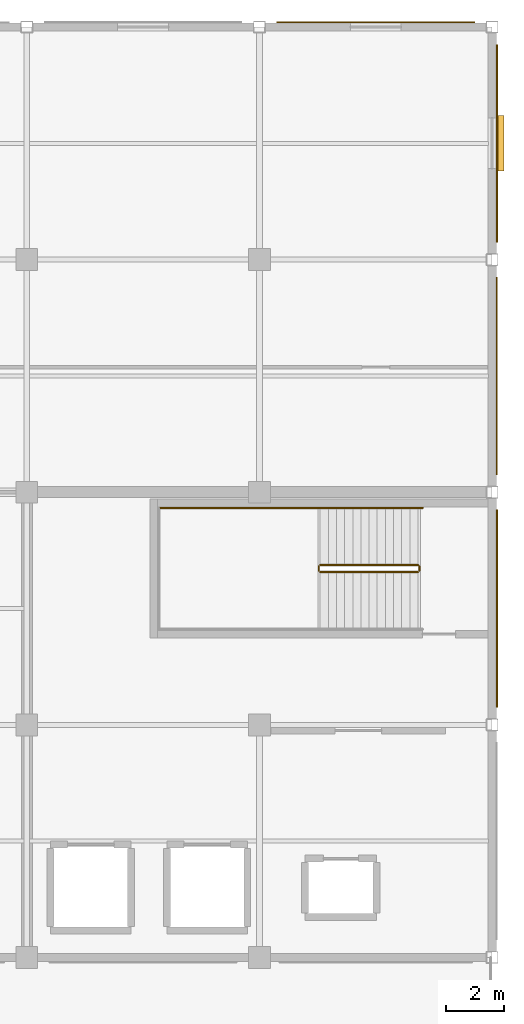
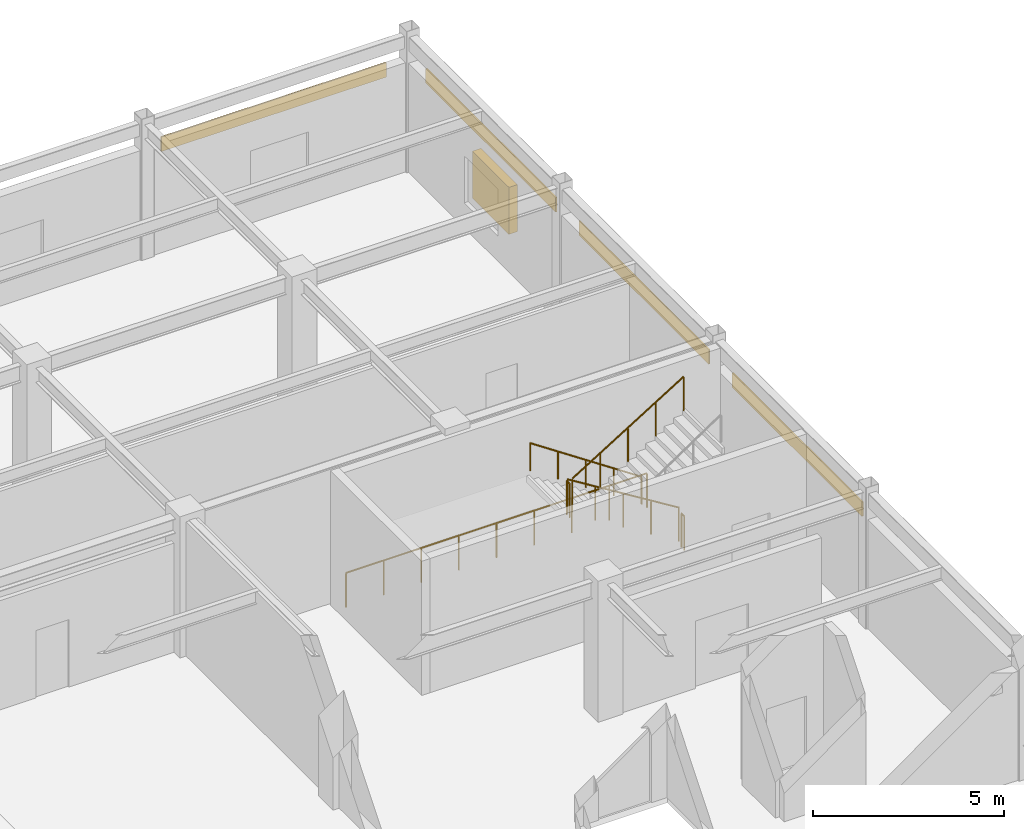
# One storey, part 74 of 75: 6 railings, 4 coverings, 1 shading device.
"""IFC4 building model written with IfcOpenShell, lengths in metres."""

from ifc_helpers import new_model, si_unit, direction, frame, origin, origin_2d, place, context, subcontext, project, spatial, rectangle, circle, extrude, material, layer, layer_set, type_object, element, save


model = new_model("IFC4")

# Units and contexts
model_context = context("Model", 3, precision=1e-05, world=origin(), true_north=direction((0.0, 1.0)))
body_context = subcontext(model_context, "Body", "Model", "MODEL_VIEW")
ifc_project = project(units=[si_unit("LENGTHUNIT", "METRE"), si_unit("AREAUNIT", "SQUARE_METRE"), si_unit("VOLUMEUNIT", "CUBIC_METRE"), si_unit("PLANEANGLEUNIT", "RADIAN"), si_unit("MASSUNIT", "GRAM", prefix="KILO")], contexts=[model_context])

# Site, building, storey
site_placement = place(None, origin())
site = spatial("IfcSite", under=ifc_project, at=site_placement, CompositionType="ELEMENT")
building_placement = place(site_placement, origin())
building = spatial("IfcBuilding", under=site, at=building_placement, Name="Solmirada Galleria", CompositionType="ELEMENT")
storey_placement = place(building_placement, frame((0.0, 0.0, 19.39990234375)))
storey = spatial("IfcBuildingStorey", under=building, at=storey_placement, Name="L04", CompositionType="ELEMENT", Elevation=19.39990234375)

# Coverings
ifc_material_1 = material(Name="Limestone cladding panels", Category="masonry")
ifc_layer_1 = layer(ifc_material_1, 0.044921875)
ifc_layer_set_1 = layer_set([ifc_layer_1], Name="Limestone cladding panels")
covering_type_1 = type_object("IfcCoveringType", Name="COV-CLAD-LIME", PredefinedType="CLADDING", material=ifc_layer_set_1)
for number, where, z_axis, x_axis, name in (
    (1, (176.16748046875, 116.0, 2.990234375), (0.0, 0.0, 1.0), (0.0, -1.0, 0.0), "Postmodern facade cladding L04-292"),
    (2, (176.16748046875, 100.0, 2.990234375), (0.0, 0.0, 1.0), (0.0, -1.0, 0.0), "Postmodern facade cladding L04-294"),
):
    element("IfcCovering", number, at=place(storey_placement, frame(where, z_axis=z_axis, x_axis=x_axis)), inside=storey, type_object=covering_type_1, Name=name, PredefinedType="CLADDING", context=body_context, shape_type="SweptSolid", body=[
        extrude(rectangle(XDim=6.7939453125, YDim=0.044921875, at=origin_2d()), origin(), (0.0, 0.0, 1.0), 0.4599609375),
    ])
ifc_material_2 = material(Name="Glazed terracotta facade panels", Category="masonry")
ifc_layer_2 = layer(ifc_material_2, 0.0400390625)
ifc_layer_set_2 = layer_set([ifc_layer_2], Name="Glazed terracotta facade panels")
covering_type_2 = type_object("IfcCoveringType", Name="COV-CLAD-TERRA", PredefinedType="CLADDING", material=ifc_layer_set_2)
for number, where, z_axis, x_axis, name in (
    (3, (172.0, 120.1650390625, 2.990234375), (0.0, 0.0, 1.0), (1.0, 0.0, 0.0), "Postmodern facade cladding L04-291"),
    (4, (176.1650390625, 108.0, 2.990234375), (0.0, 0.0, 1.0), (0.0, -1.0, 0.0), "Postmodern facade cladding L04-293"),
):
    element("IfcCovering", number, at=place(storey_placement, frame(where, z_axis=z_axis, x_axis=x_axis)), inside=storey, type_object=covering_type_2, Name=name, PredefinedType="CLADDING", context=body_context, shape_type="SweptSolid", body=[
        extrude(rectangle(XDim=6.7939453125, YDim=0.0400390625, at=origin_2d()), origin(), (0.0, 0.0, 1.0), 0.4599609375),
    ])

# Railings
ifc_material_3 = material(Name="Painted steel tubular railing", Category="steel")
railing_type_1 = type_object("IfcRailingType", Name="RAIL-STAIR-GUARD", PredefinedType="GUARDRAIL", material=ifc_material_3)
railing_1_placement = place(storey_placement, frame((173.449951171875, 101.5, 0.173095703125)))
element("IfcRailing", 5, at=railing_1_placement, inside=storey, type_object=railing_type_1, Name="L04 ST4 stair guard 1", PredefinedType="GUARDRAIL", context=body_context, shape_type="SweptSolid", body=[
    extrude(circle(Radius=0.02392578125, at=origin_2d()), frame((0.0, 0.0, 1.076171875), z_axis=(-0.850606129759, 0.0, 0.525803396734), x_axis=(0.0, -1.0, 0.0)), (0.0, 0.0, 1.0), 3.949951171875),
    extrude(circle(Radius=0.02099609375, at=origin_2d()), origin(), (0.0, 0.0, 1.0), 1.048095703125),
    extrude(circle(Radius=0.02099609375, at=origin_2d()), frame((-0.83984375, 0.0, 0.519287109375)), (0.0, 0.0, 1.0), 1.048095703125),
    extrude(circle(Radius=0.02099609375, at=origin_2d()), frame((-1.679931640625, 0.0, 1.03857421875)), (0.0, 0.0, 1.0), 1.048095703125),
    extrude(circle(Radius=0.02099609375, at=origin_2d()), frame((-2.52001953125, 0.0, 1.5576171875)), (0.0, 0.0, 1.0), 1.048095703125),
    extrude(circle(Radius=0.02099609375, at=origin_2d()), frame((-3.35986328125, 0.0, 2.076904296875)), (0.0, 0.0, 1.0), 1.048095703125),
])
railing_2_placement = place(storey_placement, frame((170.0400390625, 101.449951171875, 2.25)))
element("IfcRailing", 6, at=railing_2_placement, inside=storey, type_object=railing_type_1, Name="L04 ST4 stair guard 2", PredefinedType="GUARDRAIL", context=body_context, shape_type="SweptSolid", body=[
    extrude(circle(Radius=0.02392578125, at=origin_2d()), frame((0.0, 0.0, 1.076171875), z_axis=(0.0, -1.0, 0.0), x_axis=(1.0, 0.0, 0.0)), (0.0, 0.0, 1.0), 0.14990234375),
    extrude(circle(Radius=0.02099609375, at=origin_2d()), origin(), (0.0, 0.0, 1.0), 1.048095703125),
    extrude(circle(Radius=0.02099609375, at=origin_2d()), frame((0.0, -0.14990234375, 0.0)), (0.0, 0.0, 1.0), 1.048095703125),
])
railing_3_placement = place(storey_placement, frame((170.090087890625, 101.25, 2.423095703125)))
element("IfcRailing", 7, at=railing_3_placement, inside=storey, type_object=railing_type_1, Name="L04 ST4 stair guard 3", PredefinedType="GUARDRAIL", context=body_context, shape_type="SweptSolid", body=[
    extrude(circle(Radius=0.02392578125, at=origin_2d()), frame((0.0, 0.0, 1.076171875), z_axis=(0.850606129759, 0.0, 0.525803396734), x_axis=(0.0, 1.0, 0.0)), (0.0, 0.0, 1.0), 3.949951171875),
    extrude(circle(Radius=0.02099609375, at=origin_2d()), origin(), (0.0, 0.0, 1.0), 1.048095703125),
    extrude(circle(Radius=0.02099609375, at=origin_2d()), frame((0.83984375, 0.0, 0.519287109375)), (0.0, 0.0, 1.0), 1.048095703125),
    extrude(circle(Radius=0.02099609375, at=origin_2d()), frame((1.679931640625, 0.0, 1.03857421875)), (0.0, 0.0, 1.0), 1.048095703125),
    extrude(circle(Radius=0.02099609375, at=origin_2d()), frame((2.52001953125, 0.0, 1.5576171875)), (0.0, 0.0, 1.0), 1.048095703125),
    extrude(circle(Radius=0.02099609375, at=origin_2d()), frame((3.35986328125, 0.0, 2.076904296875)), (0.0, 0.0, 1.0), 1.048095703125),
])
railing_4_placement = place(storey_placement, frame((173.5, 101.449951171875, 0.0)))
element("IfcRailing", 8, at=railing_4_placement, inside=storey, type_object=railing_type_1, Name="L04 ST4 stair guard 4", PredefinedType="GUARDRAIL", context=body_context, shape_type="SweptSolid", body=[
    extrude(circle(Radius=0.02392578125, at=origin_2d()), frame((0.0, 0.0, 1.076171875), z_axis=(0.0, -1.0, 0.0), x_axis=(1.0, 0.0, 0.0)), (0.0, 0.0, 1.0), 0.14990234375),
    extrude(circle(Radius=0.02099609375, at=origin_2d()), origin(), (0.0, 0.0, 1.0), 1.048095703125),
    extrude(circle(Radius=0.02099609375, at=origin_2d()), frame((0.0, -0.14990234375, 0.0)), (0.0, 0.0, 1.0), 1.048095703125),
])
railing_5_placement = place(storey_placement, frame((164.5400390625, 103.4599609375, 0.0)))
element("IfcRailing", 9, at=railing_5_placement, inside=storey, type_object=railing_type_1, Name="Stair ST4 well edge guard L04-3", PredefinedType="GUARDRAIL", context=body_context, shape_type="SweptSolid", body=[
    extrude(circle(Radius=0.02392578125, at=origin_2d()), frame((0.0, 0.0, 1.09619140625), z_axis=(1.0, 0.0, 0.0), x_axis=(0.0, 1.0, 0.0)), (0.0, 0.0, 1.0), 9.080078125),
    extrude(circle(Radius=0.02099609375, at=origin_2d()), origin(), (0.0, 0.0, 1.0), 1.068115234375),
    extrude(circle(Radius=0.02099609375, at=origin_2d()), frame((1.135009765625, 0.0, 0.0)), (0.0, 0.0, 1.0), 1.068115234375),
    extrude(circle(Radius=0.02099609375, at=origin_2d()), frame((2.27001953125, 0.0, 0.0)), (0.0, 0.0, 1.0), 1.068115234375),
    extrude(circle(Radius=0.02099609375, at=origin_2d()), frame((3.405029296875, 0.0, 0.0)), (0.0, 0.0, 1.0), 1.068115234375),
    extrude(circle(Radius=0.02099609375, at=origin_2d()), frame((4.5400390625, 0.0, 0.0)), (0.0, 0.0, 1.0), 1.068115234375),
    extrude(circle(Radius=0.02099609375, at=origin_2d()), frame((5.675048828125, 0.0, 0.0)), (0.0, 0.0, 1.0), 1.068115234375),
    extrude(circle(Radius=0.02099609375, at=origin_2d()), frame((6.81005859375, 0.0, 0.0)), (0.0, 0.0, 1.0), 1.068115234375),
    extrude(circle(Radius=0.02099609375, at=origin_2d()), frame((7.945068359375, 0.0, 0.0)), (0.0, 0.0, 1.0), 1.068115234375),
    extrude(circle(Radius=0.02099609375, at=origin_2d()), frame((9.080078125, 0.0, 0.0)), (0.0, 0.0, 1.0), 1.068115234375),
])
railing_type_2 = type_object("IfcRailingType", Name="RAIL-STAIR-HAND", PredefinedType="HANDRAIL", material=ifc_material_3)
railing_6_placement = place(storey_placement, frame((173.449951171875, 103.449951171875, 0.173095703125)))
element("IfcRailing", 10, at=railing_6_placement, inside=storey, type_object=railing_type_2, Name="L04 ST4 stair handrail 1", PredefinedType="HANDRAIL", context=body_context, shape_type="SweptSolid", body=[
    extrude(circle(Radius=0.02392578125, at=origin_2d()), frame((0.0, 0.0, 0.8759765625), z_axis=(-0.830896709279, 0.0, 0.556426687452), x_axis=(0.0, -1.0, 0.0)), (0.0, 0.0, 1.0), 4.043701171875),
    extrude(circle(Radius=0.02099609375, at=origin_2d()), origin(), (0.0, 0.0, 1.0), 0.847900390625),
    extrude(circle(Radius=0.02099609375, at=origin_2d()), frame((-0.83984375, 0.0, 0.5625)), (0.0, 0.0, 1.0), 0.847900390625),
    extrude(circle(Radius=0.02099609375, at=origin_2d()), frame((-1.679931640625, 0.0, 1.125)), (0.0, 0.0, 1.0), 0.847900390625),
    extrude(circle(Radius=0.02099609375, at=origin_2d()), frame((-2.52001953125, 0.0, 1.6875)), (0.0, 0.0, 1.0), 0.847900390625),
    extrude(circle(Radius=0.02099609375, at=origin_2d()), frame((-3.35986328125, 0.0, 2.25)), (0.0, 0.0, 1.0), 0.847900390625),
])

# Shading device
ifc_material_4 = material(Name="Extruded aluminium storm louvres", Category="aluminium")
shading_device_type = type_object("IfcShadingDeviceType", Name="SHD-JALOUSIE", PredefinedType="JALOUSIE", material=ifc_material_4)
shading_device_placement = place(storey_placement, frame((176.27490234375, 116.0, 0.800048828125), z_axis=(0.0, 0.0, 1.0), x_axis=(0.0, -1.0, 0.0)))
element("IfcShadingDevice", 11, at=shading_device_placement, inside=storey, type_object=shading_device_type, Name="Hurricane storm jalousie louvre 089", PredefinedType="JALOUSIE", context=body_context, shape_type="SweptSolid", body=[
    extrude(rectangle(XDim=1.909912109375, YDim=0.260009765625, at=origin_2d()), origin(), (0.0, 0.0, 1.0), 1.5),
])

save(model, "model.ifc")
